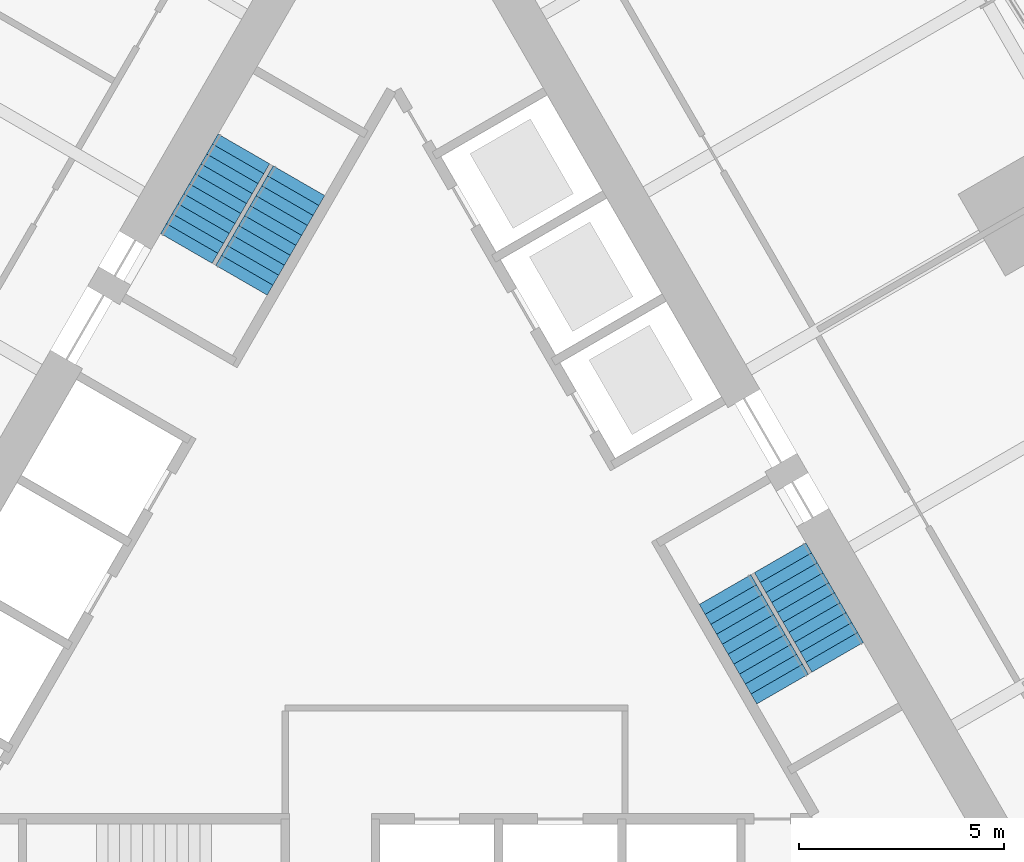
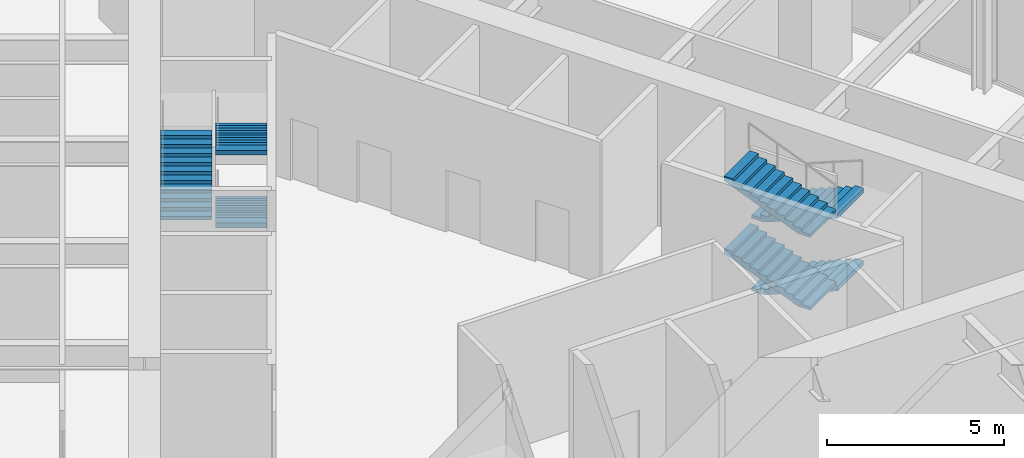
# One storey, part 11 of 13: 7 stair flights, 2 elements without a shape of their own.
"""IFC4 building model written with IfcOpenShell, lengths in metres."""

from ifc_helpers import new_model, si_unit, direction, frame, origin, place, context, subcontext, project, spatial, polyline, outline, extrude, material, type_object, element, aggregate, save


model = new_model("IFC4")

# Units and contexts
model_context = context("Model", 3, precision=1e-05, world=origin(), true_north=direction((0.0, 1.0)))
body_context = subcontext(model_context, "Body", "Model", "MODEL_VIEW")
ifc_project = project(units=[si_unit("LENGTHUNIT", "METRE"), si_unit("AREAUNIT", "SQUARE_METRE"), si_unit("VOLUMEUNIT", "CUBIC_METRE"), si_unit("PLANEANGLEUNIT", "RADIAN"), si_unit("MASSUNIT", "GRAM", prefix="KILO")], contexts=[model_context])

# Site, building, storey
site_placement = place(None, origin())
site = spatial("IfcSite", under=ifc_project, at=site_placement, CompositionType="ELEMENT")
building_placement = place(site_placement, origin())
building = spatial("IfcBuilding", under=site, at=building_placement, Name="Trikona Tower", CompositionType="ELEMENT")
storey_placement = place(building_placement, frame((0.0, 0.0, 195.89990234375)))
storey = spatial("IfcBuildingStorey", under=building, at=storey_placement, Name="L52", CompositionType="ELEMENT", Elevation=195.89990234375)

# Stair, stair flights
ifc_material_1 = material(Name="Concrete f'c 5000 psi", Category="concrete")
stair_type = type_object("IfcStairType", Name="Core stair", PredefinedType="HALF_TURN_STAIR", material=ifc_material_1)
stair_1_placement = place(storey_placement, origin())
stair_1 = element("IfcStair", 1, at=stair_1_placement, inside=storey, type_object=stair_type, Name="Stair B L52", PredefinedType="HALF_TURN_STAIR")
ifc_material_2 = material(Name="Concrete f'c 5000 psi", Category="concrete")
stair_flight_type = type_object("IfcStairFlightType", Name="Core stair flight 1450", PredefinedType="STRAIGHT", material=ifc_material_2)
stair_flight_1_placement = place(storey_placement, frame((9.407470703125, 0.408447265625, 0.0), z_axis=(0.0, 0.0, 1.0), x_axis=(0.5, -0.866025403784, 0.0)))
stair_flight_1 = element("IfcStairFlight", 2, at=stair_flight_1_placement, type_object=stair_flight_type, Name="ST-B flight 1", NumberOfRisers=11, NumberOfTreads=10, PredefinedType="STRAIGHT", RiserHeight=0.113636, TreadLength=0.28, context=body_context, shape_type="SweptSolid", body=[
    extrude(outline(polyline([(0.0, 0.0), (0.0, 0.113525390625), (0.280029296875, 0.113525390625), (0.280029296875, 0.227294921875), (0.56005859375, 0.227294921875), (0.56005859375, 0.3408203125), (0.840087890625, 0.3408203125), (0.840087890625, 0.45458984375), (1.1201171875, 0.45458984375), (1.1201171875, 0.568115234375), (1.39990234375, 0.568115234375), (1.39990234375, 0.681884765625), (1.679931640625, 0.681884765625), (1.679931640625, 0.79541015625), (1.9599609375, 0.79541015625), (1.9599609375, 0.9091796875), (2.239990234375, 0.9091796875), (2.239990234375, 1.022705078125), (2.52001953125, 1.022705078125), (2.52001953125, 1.136474609375), (2.800048828125, 1.136474609375), (2.800048828125, 1.25), (2.800048828125, 0.974609375), (0.398681640625, 0.0), (0.0, 0.0)])), frame((0.0, 0.72509765625, 0.0), z_axis=(0.0, -1.0, 0.0), x_axis=(1.0, 0.0, 0.0)), (0.0, 0.0, 1.0), 1.449951171875),
])
stair_flight_2_placement = place(storey_placement, frame((9.465087890625, -2.79150390625, 1.25), z_axis=(0.0, 0.0, 1.0), x_axis=(-0.5, 0.866025403784, 0.0)))
stair_flight_2 = element("IfcStairFlight", 3, at=stair_flight_2_placement, type_object=stair_flight_type, Name="ST-B flight 2", NumberOfRisers=11, NumberOfTreads=10, PredefinedType="STRAIGHT", RiserHeight=0.113636, TreadLength=0.28, context=body_context, shape_type="SweptSolid", body=[
    extrude(outline(polyline([(0.0, 0.0), (0.0, 0.113525390625), (0.280029296875, 0.113525390625), (0.280029296875, 0.227294921875), (0.56005859375, 0.227294921875), (0.56005859375, 0.3408203125), (0.840087890625, 0.3408203125), (0.840087890625, 0.45458984375), (1.1201171875, 0.45458984375), (1.1201171875, 0.568115234375), (1.39990234375, 0.568115234375), (1.39990234375, 0.681884765625), (1.679931640625, 0.681884765625), (1.679931640625, 0.79541015625), (1.9599609375, 0.79541015625), (1.9599609375, 0.9091796875), (2.239990234375, 0.9091796875), (2.239990234375, 1.022705078125), (2.52001953125, 1.022705078125), (2.52001953125, 1.136474609375), (2.800048828125, 1.136474609375), (2.800048828125, 1.25), (2.800048828125, 0.974609375), (0.398681640625, 0.0), (0.0, 0.0)])), frame((0.0, 0.72509765625, 0.0), z_axis=(0.0, -1.0, 0.0), x_axis=(1.0, 0.0, 0.0)), (0.0, 0.0, 1.0), 1.449951171875),
])
stair_flight_3_placement = place(storey_placement, frame((9.407470703125, 0.408447265625, 2.5), z_axis=(0.0, 0.0, 1.0), x_axis=(0.5, -0.866025403784, 0.0)))
stair_flight_3 = element("IfcStairFlight", 4, at=stair_flight_3_placement, type_object=stair_flight_type, Name="ST-B flight 3", NumberOfRisers=11, NumberOfTreads=10, PredefinedType="STRAIGHT", RiserHeight=0.113636, TreadLength=0.28, context=body_context, shape_type="SweptSolid", body=[
    extrude(outline(polyline([(0.0, 0.0), (0.0, 0.113525390625), (0.280029296875, 0.113525390625), (0.280029296875, 0.227294921875), (0.56005859375, 0.227294921875), (0.56005859375, 0.3408203125), (0.840087890625, 0.3408203125), (0.840087890625, 0.45458984375), (1.1201171875, 0.45458984375), (1.1201171875, 0.568115234375), (1.39990234375, 0.568115234375), (1.39990234375, 0.681884765625), (1.679931640625, 0.681884765625), (1.679931640625, 0.79541015625), (1.9599609375, 0.79541015625), (1.9599609375, 0.9091796875), (2.239990234375, 0.9091796875), (2.239990234375, 1.022705078125), (2.52001953125, 1.022705078125), (2.52001953125, 1.136474609375), (2.800048828125, 1.136474609375), (2.800048828125, 1.25), (2.800048828125, 0.974609375), (0.398681640625, 0.0), (0.0, 0.0)])), frame((0.0, 0.72509765625, 0.0), z_axis=(0.0, -1.0, 0.0), x_axis=(1.0, 0.0, 0.0)), (0.0, 0.0, 1.0), 1.449951171875),
])
stair_flight_4_placement = place(storey_placement, frame((9.465087890625, -2.79150390625, 3.75), z_axis=(0.0, 0.0, 1.0), x_axis=(-0.5, 0.866025403784, 0.0)))
stair_flight_4 = element("IfcStairFlight", 5, at=stair_flight_4_placement, type_object=stair_flight_type, Name="ST-B flight 4", NumberOfRisers=11, NumberOfTreads=10, PredefinedType="STRAIGHT", RiserHeight=0.113636, TreadLength=0.28, context=body_context, shape_type="SweptSolid", body=[
    extrude(outline(polyline([(0.0, 0.0), (0.0, 0.113525390625), (0.280029296875, 0.113525390625), (0.280029296875, 0.227294921875), (0.56005859375, 0.227294921875), (0.56005859375, 0.3408203125), (0.840087890625, 0.3408203125), (0.840087890625, 0.45458984375), (1.1201171875, 0.45458984375), (1.1201171875, 0.568115234375), (1.39990234375, 0.568115234375), (1.39990234375, 0.681884765625), (1.679931640625, 0.681884765625), (1.679931640625, 0.79541015625), (1.9599609375, 0.79541015625), (1.9599609375, 0.9091796875), (2.239990234375, 0.9091796875), (2.239990234375, 1.022705078125), (2.52001953125, 1.022705078125), (2.52001953125, 1.136474609375), (2.800048828125, 1.136474609375), (2.800048828125, 1.25), (2.800048828125, 0.974609375), (0.398681640625, 0.0), (0.0, 0.0)])), frame((0.0, 0.72509765625, 0.0), z_axis=(0.0, -1.0, 0.0), x_axis=(1.0, 0.0, 0.0)), (0.0, 0.0, 1.0), 1.449951171875),
])
aggregate(stair_1, [stair_flight_1, stair_flight_2, stair_flight_3, stair_flight_4])

stair_2_placement = place(storey_placement, origin())
stair_2 = element("IfcStair", 6, at=stair_2_placement, inside=storey, type_object=stair_type, Name="Stair C L52", PredefinedType="HALF_TURN_STAIR")
stair_flight_5_placement = place(storey_placement, frame((-2.315185546875, 9.5927734375, 1.25), z_axis=(0.0, 0.0, 1.0), x_axis=(-0.5, -0.866025403784, 0.0)))
stair_flight_5 = element("IfcStairFlight", 7, at=stair_flight_5_placement, type_object=stair_flight_type, Name="ST-C flight 2", NumberOfRisers=11, NumberOfTreads=10, PredefinedType="STRAIGHT", RiserHeight=0.113636, TreadLength=0.28, context=body_context, shape_type="SweptSolid", body=[
    extrude(outline(polyline([(0.0, 0.0), (0.0, 0.113525390625), (0.280029296875, 0.113525390625), (0.280029296875, 0.227294921875), (0.56005859375, 0.227294921875), (0.56005859375, 0.3408203125), (0.840087890625, 0.3408203125), (0.840087890625, 0.45458984375), (1.1201171875, 0.45458984375), (1.1201171875, 0.568115234375), (1.39990234375, 0.568115234375), (1.39990234375, 0.681884765625), (1.679931640625, 0.681884765625), (1.679931640625, 0.79541015625), (1.9599609375, 0.79541015625), (1.9599609375, 0.9091796875), (2.239990234375, 0.9091796875), (2.239990234375, 1.022705078125), (2.52001953125, 1.022705078125), (2.52001953125, 1.136474609375), (2.800048828125, 1.136474609375), (2.800048828125, 1.25), (2.800048828125, 0.974609375), (0.398681640625, 0.0), (0.0, 0.0)])), frame((0.0, 0.72509765625, 0.0), z_axis=(0.0, -1.0, 0.0), x_axis=(1.0, 0.0, 0.0)), (0.0, 0.0, 1.0), 1.449951171875),
])
stair_flight_6_placement = place(storey_placement, frame((-5.057373046875, 7.94287109375, 2.5), z_axis=(0.0, 0.0, 1.0), x_axis=(0.5, 0.866025403784, 0.0)))
stair_flight_6 = element("IfcStairFlight", 8, at=stair_flight_6_placement, type_object=stair_flight_type, Name="ST-C flight 3", NumberOfRisers=11, NumberOfTreads=10, PredefinedType="STRAIGHT", RiserHeight=0.113636, TreadLength=0.28, context=body_context, shape_type="SweptSolid", body=[
    extrude(outline(polyline([(0.0, 0.0), (0.0, 0.113525390625), (0.280029296875, 0.113525390625), (0.280029296875, 0.227294921875), (0.56005859375, 0.227294921875), (0.56005859375, 0.3408203125), (0.840087890625, 0.3408203125), (0.840087890625, 0.45458984375), (1.1201171875, 0.45458984375), (1.1201171875, 0.568115234375), (1.39990234375, 0.568115234375), (1.39990234375, 0.681884765625), (1.679931640625, 0.681884765625), (1.679931640625, 0.79541015625), (1.9599609375, 0.79541015625), (1.9599609375, 0.9091796875), (2.239990234375, 0.9091796875), (2.239990234375, 1.022705078125), (2.52001953125, 1.022705078125), (2.52001953125, 1.136474609375), (2.800048828125, 1.136474609375), (2.800048828125, 1.25), (2.800048828125, 0.974609375), (0.398681640625, 0.0), (0.0, 0.0)])), frame((0.0, 0.72509765625, 0.0), z_axis=(0.0, -1.0, 0.0), x_axis=(1.0, 0.0, 0.0)), (0.0, 0.0, 1.0), 1.449951171875),
])
stair_flight_7_placement = place(storey_placement, frame((-2.315185546875, 9.5927734375, 3.75), z_axis=(0.0, 0.0, 1.0), x_axis=(-0.5, -0.866025403784, 0.0)))
stair_flight_7 = element("IfcStairFlight", 9, at=stair_flight_7_placement, type_object=stair_flight_type, Name="ST-C flight 4", NumberOfRisers=11, NumberOfTreads=10, PredefinedType="STRAIGHT", RiserHeight=0.113636, TreadLength=0.28, context=body_context, shape_type="SweptSolid", body=[
    extrude(outline(polyline([(0.0, 0.0), (0.0, 0.113525390625), (0.280029296875, 0.113525390625), (0.280029296875, 0.227294921875), (0.56005859375, 0.227294921875), (0.56005859375, 0.3408203125), (0.840087890625, 0.3408203125), (0.840087890625, 0.45458984375), (1.1201171875, 0.45458984375), (1.1201171875, 0.568115234375), (1.39990234375, 0.568115234375), (1.39990234375, 0.681884765625), (1.679931640625, 0.681884765625), (1.679931640625, 0.79541015625), (1.9599609375, 0.79541015625), (1.9599609375, 0.9091796875), (2.239990234375, 0.9091796875), (2.239990234375, 1.022705078125), (2.52001953125, 1.022705078125), (2.52001953125, 1.136474609375), (2.800048828125, 1.136474609375), (2.800048828125, 1.25), (2.800048828125, 0.974609375), (0.398681640625, 0.0), (0.0, 0.0)])), frame((0.0, 0.72509765625, 0.0), z_axis=(0.0, -1.0, 0.0), x_axis=(1.0, 0.0, 0.0)), (0.0, 0.0, 1.0), 1.449951171875),
])
aggregate(stair_2, [stair_flight_5, stair_flight_6, stair_flight_7])

save(model, "model.ifc")
